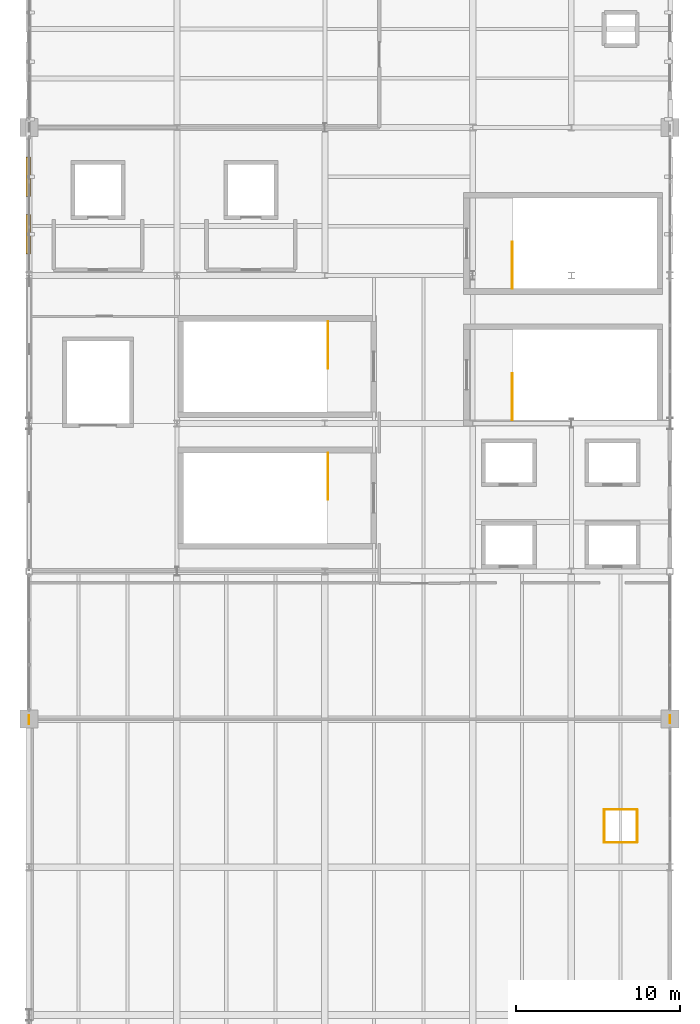
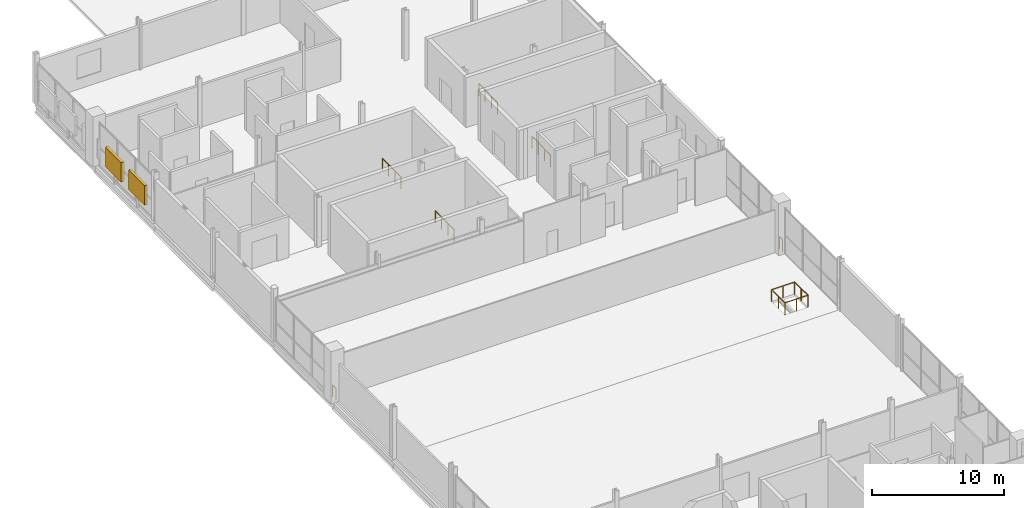
# One storey, part 28 of 29: 10 railings, 2 shading devices.
"""IFC4 building model written with IfcOpenShell, lengths in metres."""

from ifc_helpers import new_model, si_unit, direction, frame, origin, origin_2d, place, context, subcontext, project, spatial, rectangle, circle, extrude, material, type_object, element, save


model = new_model("IFC4")

# Units and contexts
model_context = context("Model", 3, precision=1e-05, world=origin(), true_north=direction((0.0, 1.0)))
body_context = subcontext(model_context, "Body", "Model", "MODEL_VIEW")
ifc_project = project(units=[si_unit("LENGTHUNIT", "METRE"), si_unit("AREAUNIT", "SQUARE_METRE"), si_unit("VOLUMEUNIT", "CUBIC_METRE"), si_unit("PLANEANGLEUNIT", "RADIAN"), si_unit("MASSUNIT", "GRAM", prefix="KILO")], contexts=[model_context])

# Site, building, storey
site_placement = place(None, origin())
site = spatial("IfcSite", under=ifc_project, at=site_placement, CompositionType="ELEMENT")
building_placement = place(site_placement, origin())
building = spatial("IfcBuilding", under=site, at=building_placement, Name="Qamarlyn Nura Convention Centre", CompositionType="ELEMENT")
storey_placement = place(building_placement, frame((0.0, 0.0, 25.199951171875)))
storey = spatial("IfcBuildingStorey", under=building, at=storey_placement, Name="L05", CompositionType="ELEMENT", Elevation=25.199951171875)

# Railings
ifc_material_1 = material(Name="Marine Grade 316 stainless steel", Category="steel")
railing_type_1 = type_object("IfcRailingType", Name="GRD-STAIR-112", PredefinedType="BALUSTRADE", material=ifc_material_1)
for number, where, name in (
    (1, (171.18994140625, 61.199951171875, 0.0), "L05 ST-11 top well guard 1"),
    (2, (171.18994140625, 69.199951171875, 0.0), "L05 ST-12 top well guard 1"),
):
    element("IfcRailing", number, at=place(storey_placement, frame(where)), inside=storey, type_object=railing_type_1, Name=name, PredefinedType="BALUSTRADE", context=body_context, shape_type="SweptSolid", body=[
        extrude(circle(Radius=0.02392578125, at=origin_2d()), frame((0.0, 0.0, 1.09619140625), z_axis=(0.0, -1.0, 0.0), x_axis=(1.0, 0.0, 0.0)), (0.0, 0.0, 1.0), 2.83984375),
        extrude(circle(Radius=0.02099609375, at=origin_2d()), origin(), (0.0, 0.0, 1.0), 1.070068359375),
        extrude(circle(Radius=0.02099609375, at=origin_2d()), frame((0.0, -0.946533203125, 0.0)), (0.0, 0.0, 1.0), 1.070068359375),
        extrude(circle(Radius=0.02099609375, at=origin_2d()), frame((0.0, -1.893310546875, 0.0)), (0.0, 0.0, 1.0), 1.070068359375),
        extrude(circle(Radius=0.02099609375, at=origin_2d()), frame((0.0, -2.83984375, 0.0)), (0.0, 0.0, 1.0), 1.070068359375),
    ])
for number, where, name in (
    (3, (182.409912109375, 63.199951171875, 0.0), "L05 ST-13 top well guard 1"),
    (4, (182.409912109375, 71.199951171875, 0.0), "L05 ST-14 top well guard 1"),
):
    element("IfcRailing", number, at=place(storey_placement, frame(where)), inside=storey, type_object=railing_type_1, Name=name, PredefinedType="BALUSTRADE", context=body_context, shape_type="SweptSolid", body=[
        extrude(circle(Radius=0.02392578125, at=origin_2d()), frame((0.0, 0.0, 1.09619140625), z_axis=(0.0, 1.0, 0.0), x_axis=(-1.0, 0.0, 0.0)), (0.0, 0.0, 1.0), 2.840087890625),
        extrude(circle(Radius=0.02099609375, at=origin_2d()), origin(), (0.0, 0.0, 1.0), 1.070068359375),
        extrude(circle(Radius=0.02099609375, at=origin_2d()), frame((0.0, 0.94677734375, 0.0)), (0.0, 0.0, 1.0), 1.070068359375),
        extrude(circle(Radius=0.02099609375, at=origin_2d()), frame((0.0, 1.893310546875, 0.0)), (0.0, 0.0, 1.0), 1.070068359375),
        extrude(circle(Radius=0.02099609375, at=origin_2d()), frame((0.0, 2.840087890625, 0.0)), (0.0, 0.0, 1.0), 1.070068359375),
    ])
railing_type_2 = type_object("IfcRailingType", Name="GRD-VOID-112", PredefinedType="BALUSTRADE", material=ifc_material_1)
railing_1_placement = place(storey_placement, frame((153.0, 44.701904296875, 0.0)))
element("IfcRailing", 5, at=railing_1_placement, inside=storey, type_object=railing_type_2, Name="L05 slab edge balustrade guard 090", PredefinedType="BALUSTRADE", context=body_context, shape_type="SweptSolid", body=[
    extrude(circle(Radius=0.02392578125, at=origin_2d()), frame((0.0, 0.0, 1.09619140625), z_axis=(0.0, 1.0, 0.0), x_axis=(-1.0, 0.0, 0.0)), (0.0, 0.0, 1.0), 0.528076171875),
    extrude(circle(Radius=0.02099609375, at=origin_2d()), origin(), (0.0, 0.0, 1.0), 1.070068359375),
    extrude(circle(Radius=0.02099609375, at=origin_2d()), frame((0.0, 0.528076171875, 0.0)), (0.0, 0.0, 1.0), 1.070068359375),
])
railing_2_placement = place(storey_placement, frame((192.0, 45.22998046875, 0.0)))
element("IfcRailing", 6, at=railing_2_placement, inside=storey, type_object=railing_type_2, Name="L05 slab edge balustrade guard 093", PredefinedType="BALUSTRADE", context=body_context, shape_type="SweptSolid", body=[
    extrude(circle(Radius=0.02392578125, at=origin_2d()), frame((0.0, 0.0, 1.09619140625), z_axis=(0.0, -1.0, 0.0), x_axis=(1.0, 0.0, 0.0)), (0.0, 0.0, 1.0), 0.4599609375),
    extrude(circle(Radius=0.02099609375, at=origin_2d()), origin(), (0.0, 0.0, 1.0), 1.070068359375),
    extrude(circle(Radius=0.02099609375, at=origin_2d()), frame((0.0, -0.4599609375, 0.0)), (0.0, 0.0, 1.0), 1.070068359375),
])
railing_3_placement = place(storey_placement, frame((190.0, 37.5, 0.0)))
element("IfcRailing", 7, at=railing_3_placement, inside=storey, type_object=railing_type_2, Name="L05 slab edge balustrade guard 098", PredefinedType="BALUSTRADE", context=body_context, shape_type="SweptSolid", body=[
    extrude(circle(Radius=0.02392578125, at=origin_2d()), frame((0.0, 0.0, 1.09619140625), z_axis=(0.0, 1.0, 0.0), x_axis=(-1.0, 0.0, 0.0)), (0.0, 0.0, 1.0), 2.0),
    extrude(circle(Radius=0.02099609375, at=origin_2d()), origin(), (0.0, 0.0, 1.0), 1.070068359375),
    extrude(circle(Radius=0.02099609375, at=origin_2d()), frame((0.0, 1.0, 0.0)), (0.0, 0.0, 1.0), 1.070068359375),
    extrude(circle(Radius=0.02099609375, at=origin_2d()), frame((0.0, 2.0, 0.0)), (0.0, 0.0, 1.0), 1.070068359375),
])
railing_4_placement = place(storey_placement, frame((190.0, 39.5, 0.0)))
element("IfcRailing", 8, at=railing_4_placement, inside=storey, type_object=railing_type_2, Name="L05 slab edge balustrade guard 099", PredefinedType="BALUSTRADE", context=body_context, shape_type="SweptSolid", body=[
    extrude(circle(Radius=0.02392578125, at=origin_2d()), frame((0.0, 0.0, 1.09619140625), z_axis=(-1.0, 0.0, 0.0), x_axis=(0.0, -1.0, 0.0)), (0.0, 0.0, 1.0), 2.0),
    extrude(circle(Radius=0.02099609375, at=origin_2d()), origin(), (0.0, 0.0, 1.0), 1.070068359375),
    extrude(circle(Radius=0.02099609375, at=origin_2d()), frame((-1.0, 0.0, 0.0)), (0.0, 0.0, 1.0), 1.070068359375),
    extrude(circle(Radius=0.02099609375, at=origin_2d()), frame((-2.0, 0.0, 0.0)), (0.0, 0.0, 1.0), 1.070068359375),
])
railing_5_placement = place(storey_placement, frame((188.0, 39.5, 0.0)))
element("IfcRailing", 9, at=railing_5_placement, inside=storey, type_object=railing_type_2, Name="L05 slab edge balustrade guard 100", PredefinedType="BALUSTRADE", context=body_context, shape_type="SweptSolid", body=[
    extrude(circle(Radius=0.02392578125, at=origin_2d()), frame((0.0, 0.0, 1.09619140625), z_axis=(0.0, -1.0, 0.0), x_axis=(1.0, 0.0, 0.0)), (0.0, 0.0, 1.0), 2.0),
    extrude(circle(Radius=0.02099609375, at=origin_2d()), origin(), (0.0, 0.0, 1.0), 1.070068359375),
    extrude(circle(Radius=0.02099609375, at=origin_2d()), frame((0.0, -1.0, 0.0)), (0.0, 0.0, 1.0), 1.070068359375),
    extrude(circle(Radius=0.02099609375, at=origin_2d()), frame((0.0, -2.0, 0.0)), (0.0, 0.0, 1.0), 1.070068359375),
])
railing_6_placement = place(storey_placement, frame((188.0, 37.5, 0.0)))
element("IfcRailing", 10, at=railing_6_placement, inside=storey, type_object=railing_type_2, Name="L05 slab edge balustrade guard 101", PredefinedType="BALUSTRADE", context=body_context, shape_type="SweptSolid", body=[
    extrude(circle(Radius=0.02392578125, at=origin_2d()), frame((0.0, 0.0, 1.09619140625), z_axis=(1.0, 0.0, 0.0), x_axis=(0.0, 1.0, 0.0)), (0.0, 0.0, 1.0), 2.0),
    extrude(circle(Radius=0.02099609375, at=origin_2d()), origin(), (0.0, 0.0, 1.0), 1.070068359375),
    extrude(circle(Radius=0.02099609375, at=origin_2d()), frame((1.0, 0.0, 0.0)), (0.0, 0.0, 1.0), 1.070068359375),
    extrude(circle(Radius=0.02099609375, at=origin_2d()), frame((2.0, 0.0, 0.0)), (0.0, 0.0, 1.0), 1.070068359375),
])

# Shading devices
ifc_material_2 = material(Name="Champagne-anodised marine aluminium", Category="aluminium")
shading_device_type = type_object("IfcShadingDeviceType", Name="SHD-LOUV-JAL", PredefinedType="JALOUSIE", material=ifc_material_2)
for number, where, z_axis, x_axis, name in (
    (11, (152.949951171875, 74.5, 0.7001953125), (0.0, 0.0, 1.0), (1.0, 0.0, 0.0), "L05 plant room acoustic louvre W1"),
    (12, (152.949951171875, 78.0, 0.7001953125), (0.0, 0.0, 1.0), (1.0, 0.0, 0.0), "L05 plant room acoustic louvre W2"),
):
    element("IfcShadingDevice", number, at=place(storey_placement, frame(where, z_axis=z_axis, x_axis=x_axis)), inside=storey, type_object=shading_device_type, Name=name, PredefinedType="JALOUSIE", context=body_context, shape_type="SweptSolid", body=[
        extrude(rectangle(XDim=0.280029296875, YDim=2.39990234375, at=origin_2d()), origin(), (0.0, 0.0, 1.0), 1.800048828125),
    ])

save(model, "model.ifc")
